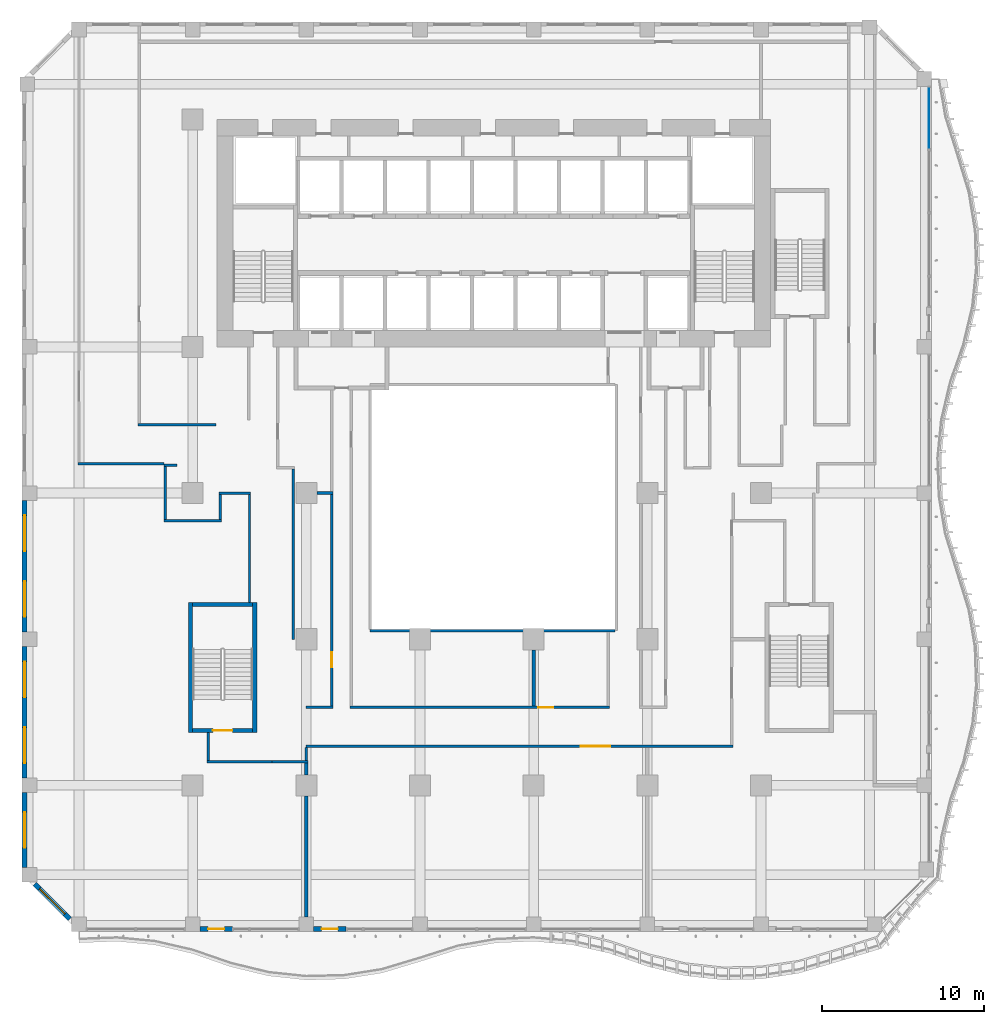
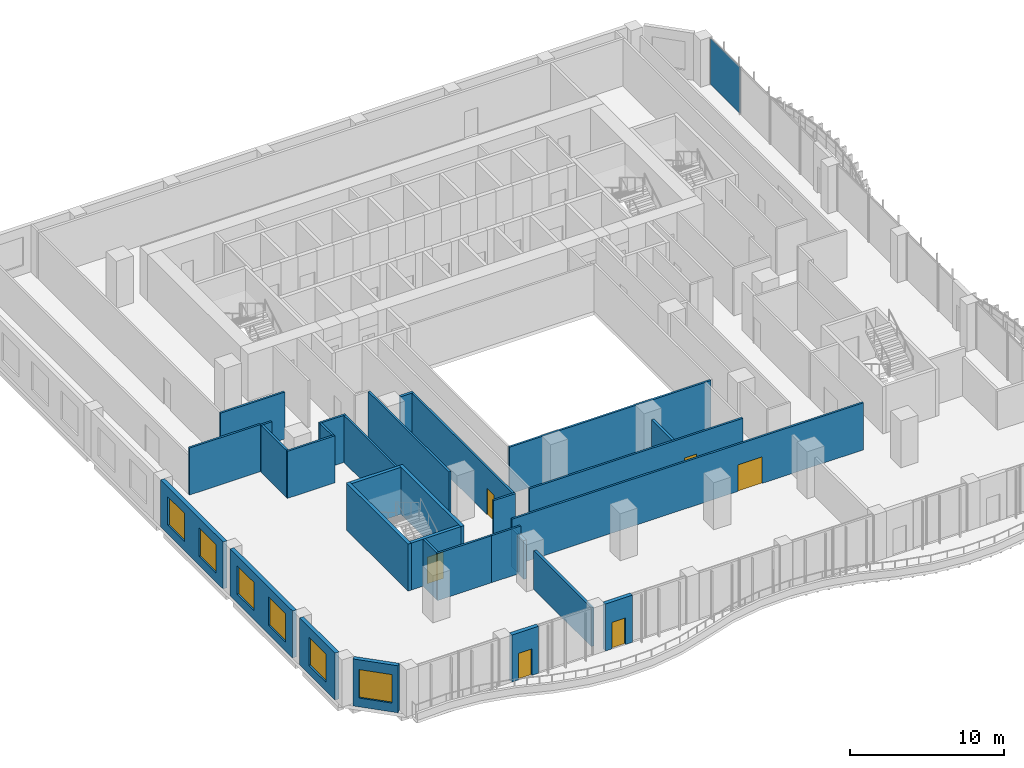
# One storey, part 10 of 25: 32 walls, 6 doors, 6 windows, 1 plate, 12 openings, 1 element without a shape of its own.
"""IFC4 building model written with IfcOpenShell, lengths in metres."""

from ifc_helpers import new_model, si_unit, direction, frame, frame_2d, origin, origin_2d, place, context, subcontext, project, spatial, rectangle, extrude, source, transform, mapped, material, layer, layer_set, type_object, element, fill, aggregate, save


model = new_model("IFC4")

# Units and contexts
model_context = context("Model", 3, precision=1e-05, world=origin(), true_north=direction((0.0, 1.0)))
body_context = subcontext(model_context, "Body", "Model", "MODEL_VIEW")
ifc_project = project(units=[si_unit("LENGTHUNIT", "METRE"), si_unit("AREAUNIT", "SQUARE_METRE"), si_unit("VOLUMEUNIT", "CUBIC_METRE"), si_unit("PLANEANGLEUNIT", "RADIAN"), si_unit("MASSUNIT", "GRAM", prefix="KILO")], contexts=[model_context])

# Site, building, storey
site_placement = place(None, origin())
site = spatial("IfcSite", under=ifc_project, at=site_placement, CompositionType="ELEMENT")
building_placement = place(site_placement, origin())
building = spatial("IfcBuilding", under=site, at=building_placement, Name="Kilnfold Tower and Market Hall", CompositionType="ELEMENT")
storey_placement = place(building_placement, frame((0.0, 0.0, 39.0)))
storey = spatial("IfcBuildingStorey", under=building, at=storey_placement, Name="L08", CompositionType="ELEMENT", Elevation=39.0)

# Curtain wall, plate
ifc_material_1 = material(Name="Aluminium and double glazing", Category="aluminium")
curtain_wall_type = type_object("IfcCurtainWallType", Name="CW OF1 VALLEY GLAZING", PredefinedType="NOTDEFINED", material=ifc_material_1)
curtain_wall_placement = place(storey_placement, origin())
curtain_wall = element("IfcCurtainWall", 1, at=curtain_wall_placement, inside=storey, type_object=curtain_wall_type, Name="Curtain wall CW1 L08 E", PredefinedType="NOTDEFINED")
ifc_material_2 = material(Name="Double glazed unit")
ifc_layer_1 = layer(ifc_material_2, 0.031982421875)
ifc_layer_set_1 = layer_set([ifc_layer_1], Name="Double glazed unit")
plate_type = type_object("IfcPlateType", Name="GLAZING PANEL 32", PredefinedType="CURTAIN_PANEL", material=ifc_layer_set_1)
shared_shape_1 = source(origin(), body_context, "Body", "SweptSolid", [
    extrude(rectangle(XDim=3.780029296875, YDim=0.031982421875, at=origin_2d()), origin(), (0.0, 0.0, 1.0), 3.659912109375),
])
plate_placement = place(storey_placement, frame((27.85009765625, 22.10009765625, 0.0), z_axis=(0.0, 0.0, 1.0), x_axis=(0.0, 1.0, 0.0)))
plate = element("IfcPlate", 2, at=plate_placement, type_object=plate_type, Name="CW1 panel 1.1", PredefinedType="CURTAIN_PANEL", context=body_context, shape_type="MappedRepresentation", body=[
    mapped(shared_shape_1, transform((0.0, 0.0, 0.0))),
])
aggregate(curtain_wall, [plate])

# Walls
ifc_material_3 = material(Name="Fire-resisting glazed screen")
ifc_layer_2 = layer(ifc_material_3, 0.14990234375)
ifc_layer_set_2 = layer_set([ifc_layer_2], Name="Fire-resisting glazed screen")
wall_type_1 = type_object("IfcWallType", Name="WALL ATRIUM 150", PredefinedType="PARTITIONING", material=ifc_layer_set_2)
wall_1_placement = place(storey_placement, frame((8.5, -9.47509765625, 0.0), z_axis=(0.0, 0.0, 1.0), x_axis=(-1.0, 0.0, 0.0)))
element("IfcWall", 3, at=wall_1_placement, inside=storey, type_object=wall_type_1, Name="Partition LY08.68", PredefinedType="PARTITIONING", context=body_context, shape_type="SweptSolid", body=[
    extrude(rectangle(XDim=15.074951171875, YDim=0.14990234375, at=frame_2d((7.53759765625, 0.0))), origin(), (0.0, 0.0, 1.0), 3.719970703125),
])
ifc_material_4 = material(Name="Gypsum board on steel studs", Category="steel")
ifc_layer_3 = layer(ifc_material_4, 0.14990234375)
ifc_layer_set_3 = layer_set([ifc_layer_3], Name="Gypsum board on steel studs")
wall_type_2 = type_object("IfcWallType", Name="WALL CORRIDOR 150", PredefinedType="PARTITIONING", material=ifc_layer_set_3)
wall_2_placement = place(storey_placement, frame((-20.875, 3.199951171875, 0.0), z_axis=(0.0, 0.0, 1.0), x_axis=(1.0, 0.0, 0.0)))
element("IfcWall", 4, at=wall_2_placement, inside=storey, type_object=wall_type_2, Name="Partition LY08.2", PredefinedType="PARTITIONING", context=body_context, shape_type="SweptSolid", body=[
    extrude(rectangle(XDim=4.81494140625, YDim=0.14990234375, at=frame_2d((2.407470703125, 0.0))), origin(), (0.0, 0.0, 1.0), 3.719970703125),
])

# Wall, opening, door
wall_3_placement = place(storey_placement, frame((-7.804931640625, -14.199951171875, 0.0), z_axis=(0.0, 0.0, 1.0), x_axis=(1.0, 0.0, 0.0)))
wall_3 = element("IfcWall", 5, at=wall_3_placement, inside=storey, type_object=wall_type_2, Name="Partition LY08.8", PredefinedType="PARTITIONING", context=body_context, shape_type="SweptSolid", body=[
    extrude(rectangle(XDim=15.969970703125, YDim=0.14990234375, at=frame_2d((7.98486328125, 0.0))), origin(), (0.0, 0.0, 1.0), 3.719970703125),
])
opening_1_placement = place(wall_3_placement, frame((11.596923828125, 0.0, 0.0)))
opening_1 = element("IfcOpeningElement", 6, at=opening_1_placement, cuts=wall_3, Name="Opening D2", PredefinedType="OPENING", context=body_context, shape_type="SweptSolid", body=[
    extrude(rectangle(XDim=0.89990234375, YDim=2.10009765625, at=frame_2d((0.449951171875, 1.050048828125))), frame((0.0, 0.0849609375, 0.0), z_axis=(0.0, -1.0, 0.0), x_axis=(1.0, 0.0, 0.0)), (0.0, 0.0, 1.0), 0.169921875),
])
ifc_material_5 = material(Name="Timber veneer door leaf in steel frame", Category="steel")
door_type_1 = type_object("IfcDoorType", Name="DOOR ROOM 900 X2100", OperationType="NOTDEFINED", PredefinedType="DOOR", material=ifc_material_5)
door_1_placement = place(opening_1_placement, origin())
door_1 = element("IfcDoor", 7, at=door_1_placement, inside=storey, type_object=door_type_1, Name="Door D2", OperationType="SINGLE_SWING_LEFT", OverallHeight=2.10009765625, OverallWidth=0.89990234375, PredefinedType="DOOR", context=body_context, shape_type="SweptSolid", body=[
    extrude(rectangle(XDim=0.89990234375, YDim=2.10009765625, at=frame_2d((0.449951171875, 1.050048828125))), frame((0.0, 0.02490234375, 0.0), z_axis=(0.0, -1.0, 0.0), x_axis=(1.0, 0.0, 0.0)), (0.0, 0.0, 1.0), 0.050048828125),
])
fill(opening_1, door_1)

# Walls
wall_4_placement = place(storey_placement, frame((-11.300048828125, -10.010009765625, 0.0), z_axis=(0.0, 0.0, 1.0), x_axis=(0.0, 1.0, 0.0)))
element("IfcWall", 8, at=wall_4_placement, inside=storey, type_object=wall_type_2, Name="Partition LY08.9", PredefinedType="PARTITIONING", context=body_context, shape_type="SweptSolid", body=[
    extrude(rectangle(XDim=10.485107421875, YDim=0.14990234375, at=frame_2d((5.24267578125, 0.0))), origin(), (0.0, 0.0, 1.0), 3.719970703125),
])
wall_5_placement = place(storey_placement, frame((-10.510009765625, -14.199951171875, 0.0), z_axis=(0.0, 0.0, 1.0), x_axis=(1.0, 0.0, 0.0)))
element("IfcWall", 9, at=wall_5_placement, inside=storey, type_object=wall_type_2, Name="Partition LY08.10", PredefinedType="PARTITIONING", context=body_context, shape_type="SweptSolid", body=[
    extrude(rectangle(XDim=1.655029296875, YDim=0.14990234375, at=frame_2d((0.82763671875, 0.0))), origin(), (0.0, 0.0, 1.0), 3.719970703125),
])

# Wall, opening, door
wall_6_placement = place(storey_placement, frame((-8.929931640625, -14.125, 0.0), z_axis=(0.0, 0.0, 1.0), x_axis=(0.0, 1.0, 0.0)))
wall_6 = element("IfcWall", 10, at=wall_6_placement, inside=storey, type_object=wall_type_2, Name="Partition LY08.11", PredefinedType="PARTITIONING", context=body_context, shape_type="SweptSolid", body=[
    extrude(rectangle(XDim=13.034912109375, YDim=0.14990234375, at=frame_2d((6.517578125, 0.0))), origin(), (0.0, 0.0, 1.0), 3.719970703125),
])
opening_2_placement = place(wall_6_placement, frame((2.406982421875, 0.0, 0.0)))
opening_2 = element("IfcOpeningElement", 11, at=opening_2_placement, cuts=wall_6, Name="Opening D2", PredefinedType="OPENING", context=body_context, shape_type="SweptSolid", body=[
    extrude(rectangle(XDim=0.89990234375, YDim=2.10009765625, at=frame_2d((0.449951171875, 1.050048828125))), frame((0.0, 0.0849609375, 0.0), z_axis=(0.0, -1.0, 0.0), x_axis=(1.0, 0.0, 0.0)), (0.0, 0.0, 1.0), 0.169921875),
])
door_2_placement = place(opening_2_placement, origin())
door_2 = element("IfcDoor", 12, at=door_2_placement, inside=storey, type_object=door_type_1, Name="Door D2", OperationType="SINGLE_SWING_RIGHT", OverallHeight=2.10009765625, OverallWidth=0.89990234375, PredefinedType="DOOR", context=body_context, shape_type="SweptSolid", body=[
    extrude(rectangle(XDim=0.89990234375, YDim=2.10009765625, at=frame_2d((0.449951171875, 1.050048828125))), frame((0.0, 0.02490234375, 0.0), z_axis=(0.0, -1.0, 0.0), x_axis=(1.0, 0.0, 0.0)), (0.0, 0.0, 1.0), 0.050048828125),
])
fill(opening_2, door_2)

# Walls
wall_7_placement = place(storey_placement, frame((-16.625, -17.550048828125, 0.0), z_axis=(0.0, 0.0, 1.0), x_axis=(1.0, 0.0, 0.0)))
element("IfcWall", 13, at=wall_7_placement, inside=storey, type_object=wall_type_2, Name="Partition LY08.30", PredefinedType="PARTITIONING", context=body_context, shape_type="SweptSolid", body=[
    extrude(rectangle(XDim=4.02294921875, YDim=0.14990234375, at=frame_2d((2.011474609375, 0.0))), origin(), (0.0, 0.0, 1.0), 3.719970703125),
])
wall_8_placement = place(storey_placement, frame((-16.550048828125, -15.75, 0.0), z_axis=(0.0, 0.0, 1.0), x_axis=(0.0, -1.0, 0.0)))
element("IfcWall", 14, at=wall_8_placement, inside=storey, type_object=wall_type_2, Name="Partition LY08.31", PredefinedType="PARTITIONING", context=body_context, shape_type="SweptSolid", body=[
    extrude(rectangle(XDim=1.72509765625, YDim=0.14990234375, at=frame_2d((0.862548828125, 0.0))), origin(), (0.0, 0.0, 1.0), 3.719970703125),
])
wall_9_placement = place(storey_placement, frame((-14.0, -1.074951171875, 0.0), z_axis=(0.0, 0.0, 1.0), x_axis=(0.0, -1.0, 0.0)))
element("IfcWall", 15, at=wall_9_placement, inside=storey, type_object=wall_type_2, Name="Partition LY08.32", PredefinedType="PARTITIONING", context=body_context, shape_type="SweptSolid", body=[
    extrude(rectangle(XDim=6.675048828125, YDim=0.14990234375, at=frame_2d((3.33740234375, 0.0))), origin(), (0.0, 0.0, 1.0), 3.719970703125),
])
wall_10_placement = place(storey_placement, frame((-15.875, -1.0, 0.0), z_axis=(0.0, 0.0, 1.0), x_axis=(1.0, 0.0, 0.0)))
element("IfcWall", 16, at=wall_10_placement, inside=storey, type_object=wall_type_2, Name="Partition LY08.33", PredefinedType="PARTITIONING", context=body_context, shape_type="SweptSolid", body=[
    extrude(rectangle(XDim=1.949951171875, YDim=0.14990234375, at=frame_2d((0.97509765625, 0.0))), origin(), (0.0, 0.0, 1.0), 3.719970703125),
])
wall_11_placement = place(storey_placement, frame((-15.800048828125, -2.625, 0.0), z_axis=(0.0, 0.0, 1.0), x_axis=(0.0, 1.0, 0.0)))
element("IfcWall", 17, at=wall_11_placement, inside=storey, type_object=wall_type_2, Name="Partition LY08.34", PredefinedType="PARTITIONING", context=body_context, shape_type="SweptSolid", body=[
    extrude(rectangle(XDim=1.550048828125, YDim=0.14990234375, at=frame_2d((0.77490234375, 0.0))), origin(), (0.0, 0.0, 1.0), 3.719970703125),
])
wall_12_placement = place(storey_placement, frame((-19.27490234375, -2.699951171875, 0.0), z_axis=(0.0, 0.0, 1.0), x_axis=(1.0, 0.0, 0.0)))
element("IfcWall", 18, at=wall_12_placement, inside=storey, type_object=wall_type_2, Name="Partition LY08.35", PredefinedType="PARTITIONING", context=body_context, shape_type="SweptSolid", body=[
    extrude(rectangle(XDim=3.5498046875, YDim=0.14990234375, at=frame_2d((1.77490234375, 0.0))), origin(), (0.0, 0.0, 1.0), 3.719970703125),
])
wall_13_placement = place(storey_placement, frame((-19.199951171875, 0.625, 0.0), z_axis=(0.0, 0.0, 1.0), x_axis=(0.0, -1.0, 0.0)))
element("IfcWall", 19, at=wall_13_placement, inside=storey, type_object=wall_type_2, Name="Partition LY08.36", PredefinedType="PARTITIONING", context=body_context, shape_type="SweptSolid", body=[
    extrude(rectangle(XDim=3.25, YDim=0.14990234375, at=frame_2d((1.625, 0.0))), origin(), (0.0, 0.0, 1.0), 3.719970703125),
])
wall_14_placement = place(storey_placement, frame((-19.27490234375, 0.699951171875, 0.0), z_axis=(0.0, 0.0, 1.0), x_axis=(1.0, 0.0, 0.0)))
element("IfcWall", 20, at=wall_14_placement, inside=storey, type_object=wall_type_2, Name="Partition LY08.37", PredefinedType="PARTITIONING", context=body_context, shape_type="SweptSolid", body=[
    extrude(rectangle(XDim=0.81494140625, YDim=0.14990234375, at=frame_2d((0.407470703125, 0.0))), origin(), (0.0, 0.0, 1.0), 3.719970703125),
])
wall_15_placement = place(storey_placement, frame((-24.574951171875, 0.800048828125, 0.0), z_axis=(0.0, 0.0, 1.0), x_axis=(1.0, 0.0, 0.0)))
element("IfcWall", 21, at=wall_15_placement, inside=storey, type_object=wall_type_2, Name="Partition LY08.38", PredefinedType="PARTITIONING", context=body_context, shape_type="SweptSolid", body=[
    extrude(rectangle(XDim=5.300048828125, YDim=0.14990234375, at=frame_2d((2.64990234375, 0.0))), origin(), (0.0, 0.0, 1.0), 3.719970703125),
])
wall_16_placement = place(storey_placement, frame((-12.60205078125, -17.552001953125, 0.0), z_axis=(0.0, 0.0, 1.0), x_axis=(1.0, 0.0, 0.0)))
element("IfcWall", 22, at=wall_16_placement, inside=storey, type_object=wall_type_2, Name="Partition LY08.40", PredefinedType="PARTITIONING", context=body_context, shape_type="SweptSolid", body=[
    extrude(rectangle(XDim=2.2041015625, YDim=0.14990234375, at=frame_2d((1.10205078125, 0.0))), origin(), (0.0, 0.0, 1.0), 3.719970703125),
])

# Wall, opening, door
wall_17_placement = place(storey_placement, frame((-10.510009765625, -16.60009765625, 0.0), z_axis=(0.0, 0.0, 1.0), x_axis=(1.0, 0.0, 0.0)))
wall_17 = element("IfcWall", 23, at=wall_17_placement, inside=storey, type_object=wall_type_2, Name="Partition LY08.41", PredefinedType="PARTITIONING", context=body_context, shape_type="SweptSolid", body=[
    extrude(rectangle(XDim=26.284912109375, YDim=0.14990234375, at=frame_2d((13.142578125, 0.0))), origin(), (0.0, 0.0, 1.0), 3.719970703125),
])
opening_3_placement = place(wall_17_placement, frame((16.91796875, 0.0, 0.0)))
opening_3 = element("IfcOpeningElement", 24, at=opening_3_placement, cuts=wall_17, Name="Opening D5", PredefinedType="OPENING", context=body_context, shape_type="SweptSolid", body=[
    extrude(rectangle(XDim=1.800048828125, YDim=2.10009765625, at=frame_2d((0.89990234375, 1.050048828125))), frame((0.0, 0.0849609375, 0.0), z_axis=(0.0, -1.0, 0.0), x_axis=(1.0, 0.0, 0.0)), (0.0, 0.0, 1.0), 0.169921875),
])
ifc_material_6 = material(Name="Timber veneer door leaf in steel frame", Category="steel")
door_type_2 = type_object("IfcDoorType", Name="DOOR DOUBLE 1800 X2100", OperationType="NOTDEFINED", PredefinedType="DOOR", material=ifc_material_6)
door_3_placement = place(opening_3_placement, origin())
door_3 = element("IfcDoor", 25, at=door_3_placement, inside=storey, type_object=door_type_2, Name="Door D5", OperationType="DOUBLE_DOOR_SINGLE_SWING", OverallHeight=2.10009765625, OverallWidth=1.800048828125, PredefinedType="DOOR", context=body_context, shape_type="SweptSolid", body=[
    extrude(rectangle(XDim=1.800048828125, YDim=2.10009765625, at=frame_2d((0.89990234375, 1.050048828125))), frame((0.0, 0.02490234375, 0.0), z_axis=(0.0, -1.0, 0.0), x_axis=(1.0, 0.0, 0.0)), (0.0, 0.0, 1.0), 0.050048828125),
])
fill(opening_3, door_3)

# Walls
wall_18_placement = place(storey_placement, frame((-10.498046875, -17.47705078125, 0.0), z_axis=(0.0, 0.0, 1.0), x_axis=(0.0, 1.0, 0.0)))
element("IfcWall", 26, at=wall_18_placement, inside=storey, type_object=wall_type_2, Name="Partition LY08.42", PredefinedType="PARTITIONING", context=body_context, shape_type="SweptSolid", body=[
    extrude(rectangle(XDim=0.802001953125, YDim=0.14990234375, at=frame_2d((0.40087890625, 0.0))), origin(), (0.0, 0.0, 1.0), 3.070068359375),
])
ifc_material_7 = material(Name="Gypsum board on steel studs", Category="steel")
ifc_layer_4 = layer(ifc_material_7, 0.199951171875)
ifc_layer_set_4 = layer_set([ifc_layer_4], Name="Gypsum board on steel studs")
wall_type_3 = type_object("IfcWallType", Name="WALL PARTY 200", PredefinedType="PARTITIONING", material=ifc_layer_set_4)
wall_19_placement = place(storey_placement, frame((-9.85009765625, -1.0, 0.0), z_axis=(0.0, 0.0, 1.0), x_axis=(1.0, 0.0, 0.0)))
element("IfcWall", 27, at=wall_19_placement, inside=storey, type_object=wall_type_3, Name="Partition LY08.57", PredefinedType="PARTITIONING", context=body_context, shape_type="SweptSolid", body=[
    extrude(rectangle(XDim=0.994140625, YDim=0.199951171875, at=frame_2d((0.4970703125, 0.0))), origin(), (0.0, 0.0, 1.0), 3.719970703125),
])
wall_20_placement = place(storey_placement, frame((3.5, -14.1240234375, 0.0), z_axis=(0.0, 0.0, 1.0), x_axis=(0.0, 1.0, 0.0)))
element("IfcWall", 28, at=wall_20_placement, inside=storey, type_object=wall_type_3, Name="Partition LY08.58", PredefinedType="PARTITIONING", context=body_context, shape_type="SweptSolid", body=[
    extrude(rectangle(XDim=3.47412109375, YDim=0.199951171875, at=frame_2d((1.737060546875, 0.0))), origin(), (0.0, 0.0, 1.0), 3.070068359375),
])
wall_21_placement = place(storey_placement, frame((-10.5, -18.35009765625, 0.0), z_axis=(0.0, 0.0, 1.0), x_axis=(0.0, 1.0, 0.0)))
element("IfcWall", 29, at=wall_21_placement, inside=storey, type_object=wall_type_3, Name="Partition LY08.60", PredefinedType="PARTITIONING", context=body_context, shape_type="SweptSolid", body=[
    extrude(rectangle(XDim=0.72314453125, YDim=0.199951171875, at=frame_2d((0.361572265625, 0.0))), origin(), (0.0, 0.0, 1.0), 3.070068359375),
])
wall_22_placement = place(storey_placement, frame((-10.5, -27.10009765625, 0.0), z_axis=(0.0, 0.0, 1.0), x_axis=(0.0, 1.0, 0.0)))
element("IfcWall", 30, at=wall_22_placement, inside=storey, type_object=wall_type_3, Name="Partition LY08.61", PredefinedType="PARTITIONING", context=body_context, shape_type="SweptSolid", body=[
    extrude(rectangle(XDim=7.4501953125, YDim=0.199951171875, at=frame_2d((3.72509765625, 0.0))), origin(), (0.0, 0.0, 1.0), 3.070068359375),
])

# Wall, opening, door
ifc_material_8 = material(Name="Concrete C80", Category="concrete")
ifc_layer_5 = layer(ifc_material_8, 0.25)
ifc_layer_set_5 = layer_set([ifc_layer_5], Name="Concrete C80")
wall_type_4 = type_object("IfcWallType", Name="CORE WALL 250 C80", PredefinedType="SHEAR", material=ifc_layer_set_5)
shared_shape_2 = source(origin(), body_context, "Body", "SweptSolid", [
    extrude(rectangle(XDim=3.699951171875, YDim=0.25, at=frame_2d((1.85009765625, 0.0))), origin(), (0.0, 0.0, 1.0), 3.719970703125),
])
wall_23_placement = place(storey_placement, frame((-17.5, -15.625, 0.0), z_axis=(0.0, 0.0, 1.0), x_axis=(1.0, 0.0, 0.0)))
wall_23 = element("IfcWall", 31, at=wall_23_placement, inside=storey, type_object=wall_type_4, Name="Stair enclosure ST3", PredefinedType="SHEAR", context=body_context, shape_type="MappedRepresentation", body=[
    mapped(shared_shape_2, transform((0.0, 0.0, 0.0))),
])
opening_4_placement = place(wall_23_placement, frame((1.25, 0.0, 0.0)))
opening_4 = element("IfcOpeningElement", 32, at=opening_4_placement, cuts=wall_23, Name="Opening SD1", PredefinedType="OPENING", context=body_context, shape_type="SweptSolid", body=[
    extrude(rectangle(XDim=1.199951171875, YDim=2.10009765625, at=frame_2d((0.60009765625, 1.050048828125))), frame((0.0, 0.135009765625, 0.0), z_axis=(0.0, -1.0, 0.0), x_axis=(1.0, 0.0, 0.0)), (0.0, 0.0, 1.0), 0.27001953125),
])
ifc_material_9 = material(Name="Steel door set with fire-resisting leaf", Category="steel")
door_type_3 = type_object("IfcDoorType", Name="STAIR FLOOR DOOR 1200X2100", OperationType="NOTDEFINED", PredefinedType="DOOR", material=ifc_material_9)
door_4_placement = place(opening_4_placement, origin())
door_4 = element("IfcDoor", 33, at=door_4_placement, inside=storey, type_object=door_type_3, Name="Exit stair ST3 door", OperationType="DOUBLE_DOOR_SINGLE_SWING", OverallHeight=2.10009765625, OverallWidth=1.199951171875, PredefinedType="DOOR", context=body_context, shape_type="SweptSolid", body=[
    extrude(rectangle(XDim=1.199951171875, YDim=2.10009765625, at=frame_2d((0.60009765625, 1.050048828125))), frame((0.0, 0.02490234375, 0.0), z_axis=(0.0, -1.0, 0.0), x_axis=(1.0, 0.0, 0.0)), (0.0, 0.0, 1.0), 0.050048828125),
])
fill(opening_4, door_4)

# Walls
wall_24_placement = place(storey_placement, frame((-17.5, -7.875, 0.0), z_axis=(0.0, 0.0, 1.0), x_axis=(1.0, 0.0, 0.0)))
element("IfcWall", 34, at=wall_24_placement, inside=storey, type_object=wall_type_4, Name="Stair enclosure ST3", PredefinedType="SHEAR", context=body_context, shape_type="MappedRepresentation", body=[
    mapped(shared_shape_2, transform((0.0, 0.0, 0.0))),
])
shared_shape_3 = source(origin(), body_context, "Body", "SweptSolid", [
    extrude(rectangle(XDim=8.0, YDim=0.25, at=frame_2d((4.0, 0.0))), origin(), (0.0, 0.0, 1.0), 3.719970703125),
])
for number, where, z_axis, x_axis, name in (
    (35, (-17.625, -15.75, 0.0), (0.0, 0.0, 1.0), (0.0, 1.0, 0.0), "Stair enclosure ST3"),
    (36, (-13.675048828125, -15.75, 0.0), (0.0, 0.0, 1.0), (0.0, 1.0, 0.0), "Stair enclosure ST3"),
):
    element("IfcWall", number, at=place(storey_placement, frame(where, z_axis=z_axis, x_axis=x_axis)), inside=storey, type_object=wall_type_4, Name=name, PredefinedType="SHEAR", context=body_context, shape_type="MappedRepresentation", body=[
        mapped(shared_shape_3, transform((0.0, 0.0, 0.0))),
    ])

# Wall, opening, door
ifc_material_10 = material(Name="Precast concrete C50/60", Category="concrete")
ifc_layer_6 = layer(ifc_material_10, 0.300048828125)
ifc_layer_set_6 = layer_set([ifc_layer_6], Name="Precast concrete C50/60")
wall_type_5 = type_object("IfcWallType", Name="PRECAST WALL 300", PredefinedType="SOLIDWALL", material=ifc_layer_set_6)
shared_shape_4 = source(origin(), body_context, "Body", "SweptSolid", [
    extrude(rectangle(XDim=2.0, YDim=0.300048828125, at=frame_2d((1.0, 0.0))), origin(), (0.0, 0.0, 1.0), 3.719970703125),
])
wall_25_placement = place(storey_placement, frame((-17.050048828125, -27.85009765625, 0.0), z_axis=(0.0, 0.0, 1.0), x_axis=(1.0, 0.0, 0.0)))
wall_25 = element("IfcWall", 37, at=wall_25_placement, inside=storey, type_object=wall_type_5, Name="External wall L08 S", PredefinedType="SOLIDWALL", context=body_context, shape_type="MappedRepresentation", body=[
    mapped(shared_shape_4, transform((0.0, 0.0, 0.0))),
])
opening_5_placement = place(wall_25_placement, frame((0.5, 0.0, 0.0)))
opening_5 = element("IfcOpeningElement", 38, at=opening_5_placement, cuts=wall_25, Name="Opening BD1", PredefinedType="OPENING", context=body_context, shape_type="SweptSolid", body=[
    extrude(rectangle(XDim=1.0, YDim=2.10009765625, at=frame_2d((0.5, 1.050048828125))), frame((0.0, 0.16015625, 0.0), z_axis=(0.0, -1.0, 0.0), x_axis=(1.0, 0.0, 0.0)), (0.0, 0.0, 1.0), 0.320068359375),
])
ifc_material_11 = material(Name="Aluminium frame and double glazing", Category="aluminium")
door_type_4 = type_object("IfcDoorType", Name="BALCONY DOOR 1000X2100", OperationType="NOTDEFINED", PredefinedType="DOOR", material=ifc_material_11)
door_5_placement = place(opening_5_placement, origin())
door_5 = element("IfcDoor", 39, at=door_5_placement, inside=storey, type_object=door_type_4, Name="Balcony door BD1 L08 S-1", OperationType="SINGLE_SWING_LEFT", OverallHeight=2.10009765625, OverallWidth=1.0, PredefinedType="DOOR", context=body_context, shape_type="SweptSolid", body=[
    extrude(rectangle(XDim=1.0, YDim=2.10009765625, at=frame_2d((0.5, 1.050048828125))), frame((0.0, 0.02490234375, 0.0), z_axis=(0.0, -1.0, 0.0), x_axis=(1.0, 0.0, 0.0)), (0.0, 0.0, 1.0), 0.050048828125),
])
fill(opening_5, door_5)

wall_26_placement = place(storey_placement, frame((-10.050048828125, -27.85009765625, 0.0), z_axis=(0.0, 0.0, 1.0), x_axis=(1.0, 0.0, 0.0)))
wall_26 = element("IfcWall", 40, at=wall_26_placement, inside=storey, type_object=wall_type_5, Name="External wall L08 S", PredefinedType="SOLIDWALL", context=body_context, shape_type="MappedRepresentation", body=[
    mapped(shared_shape_4, transform((0.0, 0.0, 0.0))),
])
opening_6_placement = place(wall_26_placement, frame((0.5, 0.0, 0.0)))
opening_6 = element("IfcOpeningElement", 41, at=opening_6_placement, cuts=wall_26, Name="Opening BD1", PredefinedType="OPENING", context=body_context, shape_type="SweptSolid", body=[
    extrude(rectangle(XDim=1.0, YDim=2.10009765625, at=frame_2d((0.5, 1.050048828125))), frame((0.0, 0.16015625, 0.0), z_axis=(0.0, -1.0, 0.0), x_axis=(1.0, 0.0, 0.0)), (0.0, 0.0, 1.0), 0.320068359375),
])
door_6_placement = place(opening_6_placement, origin())
door_6 = element("IfcDoor", 42, at=door_6_placement, inside=storey, type_object=door_type_4, Name="Balcony door BD1 L08 S-1", OperationType="SINGLE_SWING_LEFT", OverallHeight=2.10009765625, OverallWidth=1.0, PredefinedType="DOOR", context=body_context, shape_type="SweptSolid", body=[
    extrude(rectangle(XDim=1.0, YDim=2.10009765625, at=frame_2d((0.5, 1.050048828125))), frame((0.0, 0.02490234375, 0.0), z_axis=(0.0, -1.0, 0.0), x_axis=(1.0, 0.0, 0.0)), (0.0, 0.0, 1.0), 0.050048828125),
])
fill(opening_6, door_6)

# Wall, openings, windows
shared_shape_5 = source(origin(), body_context, "Body", "SweptSolid", [
    extrude(rectangle(XDim=8.10009765625, YDim=0.300048828125, at=frame_2d((4.050048828125, 0.0))), origin(), (0.0, 0.0, 1.0), 3.719970703125),
])
wall_27_placement = place(storey_placement, frame((-27.85009765625, -1.449951171875, 0.0), z_axis=(0.0, 0.0, 1.0), x_axis=(0.0, -1.0, 0.0)))
wall_27 = element("IfcWall", 43, at=wall_27_placement, inside=storey, type_object=wall_type_5, Name="External wall L08 W", PredefinedType="SOLIDWALL", context=body_context, shape_type="MappedRepresentation", body=[
    mapped(shared_shape_5, transform((0.0, 0.0, 0.0))),
])
opening_7_placement = place(wall_27_placement, frame((0.925048828125, 0.0, 0.699951171875)))
opening_7 = element("IfcOpeningElement", 44, at=opening_7_placement, cuts=wall_27, Name="Opening W1", PredefinedType="OPENING", context=body_context, shape_type="SweptSolid", body=[
    extrude(rectangle(XDim=2.199951171875, YDim=2.25, at=frame_2d((1.10009765625, 1.125))), frame((0.0, 0.16015625, 0.0), z_axis=(0.0, -1.0, 0.0), x_axis=(1.0, 0.0, 0.0)), (0.0, 0.0, 1.0), 0.320068359375),
])
opening_8_placement = place(wall_27_placement, frame((4.97509765625, 0.0, 0.699951171875)))
opening_8 = element("IfcOpeningElement", 45, at=opening_8_placement, cuts=wall_27, Name="Opening W1", PredefinedType="OPENING", context=body_context, shape_type="SweptSolid", body=[
    extrude(rectangle(XDim=2.199951171875, YDim=2.25, at=frame_2d((1.10009765625, 1.125))), frame((0.0, 0.16015625, 0.0), z_axis=(0.0, -1.0, 0.0), x_axis=(1.0, 0.0, 0.0)), (0.0, 0.0, 1.0), 0.320068359375),
])
ifc_material_12 = material(Name="Aluminium frame and double glazing", Category="aluminium")
window_type = type_object("IfcWindowType", Name="WINDOW W1 2200X2250", PartitioningType="SINGLE_PANEL", PredefinedType="WINDOW", material=ifc_material_12)
window_1_placement = place(opening_7_placement, origin())
window_1 = element("IfcWindow", 46, at=window_1_placement, inside=storey, type_object=window_type, Name="Window W1 L08 W-1", OverallHeight=2.25, OverallWidth=2.199951171875, PartitioningType="SINGLE_PANEL", PredefinedType="WINDOW", context=body_context, shape_type="SweptSolid", body=[
    extrude(rectangle(XDim=2.199951171875, YDim=2.25, at=frame_2d((1.10009765625, 1.125))), frame((0.0, 0.030029296875, 0.0), z_axis=(0.0, -1.0, 0.0), x_axis=(1.0, 0.0, 0.0)), (0.0, 0.0, 1.0), 0.06005859375),
])
fill(opening_7, window_1)
window_2_placement = place(opening_8_placement, origin())
window_2 = element("IfcWindow", 47, at=window_2_placement, inside=storey, type_object=window_type, Name="Window W1 L08 W-2", OverallHeight=2.25, OverallWidth=2.199951171875, PartitioningType="SINGLE_PANEL", PredefinedType="WINDOW", context=body_context, shape_type="SweptSolid", body=[
    extrude(rectangle(XDim=2.199951171875, YDim=2.25, at=frame_2d((1.10009765625, 1.125))), frame((0.0, 0.030029296875, 0.0), z_axis=(0.0, -1.0, 0.0), x_axis=(1.0, 0.0, 0.0)), (0.0, 0.0, 1.0), 0.06005859375),
])
fill(opening_8, window_2)

wall_28_placement = place(storey_placement, frame((-27.85009765625, -10.449951171875, 0.0), z_axis=(0.0, 0.0, 1.0), x_axis=(0.0, -1.0, 0.0)))
wall_28 = element("IfcWall", 48, at=wall_28_placement, inside=storey, type_object=wall_type_5, Name="External wall L08 W", PredefinedType="SOLIDWALL", context=body_context, shape_type="MappedRepresentation", body=[
    mapped(shared_shape_5, transform((0.0, 0.0, 0.0))),
])
opening_9_placement = place(wall_28_placement, frame((0.925048828125, 0.0, 0.699951171875)))
opening_9 = element("IfcOpeningElement", 49, at=opening_9_placement, cuts=wall_28, Name="Opening W1", PredefinedType="OPENING", context=body_context, shape_type="SweptSolid", body=[
    extrude(rectangle(XDim=2.199951171875, YDim=2.25, at=frame_2d((1.10009765625, 1.125))), frame((0.0, 0.16015625, 0.0), z_axis=(0.0, -1.0, 0.0), x_axis=(1.0, 0.0, 0.0)), (0.0, 0.0, 1.0), 0.320068359375),
])
opening_10_placement = place(wall_28_placement, frame((4.97509765625, 0.0, 0.699951171875)))
opening_10 = element("IfcOpeningElement", 50, at=opening_10_placement, cuts=wall_28, Name="Opening W1", PredefinedType="OPENING", context=body_context, shape_type="SweptSolid", body=[
    extrude(rectangle(XDim=2.199951171875, YDim=2.25, at=frame_2d((1.10009765625, 1.125))), frame((0.0, 0.16015625, 0.0), z_axis=(0.0, -1.0, 0.0), x_axis=(1.0, 0.0, 0.0)), (0.0, 0.0, 1.0), 0.320068359375),
])
window_3_placement = place(opening_9_placement, origin())
window_3 = element("IfcWindow", 51, at=window_3_placement, inside=storey, type_object=window_type, Name="Window W1 L08 W-1", OverallHeight=2.25, OverallWidth=2.199951171875, PartitioningType="SINGLE_PANEL", PredefinedType="WINDOW", context=body_context, shape_type="SweptSolid", body=[
    extrude(rectangle(XDim=2.199951171875, YDim=2.25, at=frame_2d((1.10009765625, 1.125))), frame((0.0, 0.030029296875, 0.0), z_axis=(0.0, -1.0, 0.0), x_axis=(1.0, 0.0, 0.0)), (0.0, 0.0, 1.0), 0.06005859375),
])
fill(opening_9, window_3)
window_4_placement = place(opening_10_placement, origin())
window_4 = element("IfcWindow", 52, at=window_4_placement, inside=storey, type_object=window_type, Name="Window W1 L08 W-2", OverallHeight=2.25, OverallWidth=2.199951171875, PartitioningType="SINGLE_PANEL", PredefinedType="WINDOW", context=body_context, shape_type="SweptSolid", body=[
    extrude(rectangle(XDim=2.199951171875, YDim=2.25, at=frame_2d((1.10009765625, 1.125))), frame((0.0, 0.030029296875, 0.0), z_axis=(0.0, -1.0, 0.0), x_axis=(1.0, 0.0, 0.0)), (0.0, 0.0, 1.0), 0.06005859375),
])
fill(opening_10, window_4)

# Wall, opening, window
shared_shape_6 = source(origin(), body_context, "Body", "SweptSolid", [
    extrude(rectangle(XDim=4.60009765625, YDim=0.300048828125, at=frame_2d((2.300048828125, 0.0))), origin(), (0.0, 0.0, 1.0), 3.719970703125),
])
wall_29_placement = place(storey_placement, frame((-27.85009765625, -19.449951171875, 0.0), z_axis=(0.0, 0.0, 1.0), x_axis=(0.0, -1.0, 0.0)))
wall_29 = element("IfcWall", 53, at=wall_29_placement, inside=storey, type_object=wall_type_5, Name="External wall L08 W", PredefinedType="SOLIDWALL", context=body_context, shape_type="MappedRepresentation", body=[
    mapped(shared_shape_6, transform((0.0, 0.0, 0.0))),
])
opening_11_placement = place(wall_29_placement, frame((1.199951171875, 0.0, 0.699951171875)))
opening_11 = element("IfcOpeningElement", 54, at=opening_11_placement, cuts=wall_29, Name="Opening W1", PredefinedType="OPENING", context=body_context, shape_type="SweptSolid", body=[
    extrude(rectangle(XDim=2.199951171875, YDim=2.25, at=frame_2d((1.10009765625, 1.125))), frame((0.0, 0.16015625, 0.0), z_axis=(0.0, -1.0, 0.0), x_axis=(1.0, 0.0, 0.0)), (0.0, 0.0, 1.0), 0.320068359375),
])
window_5_placement = place(opening_11_placement, origin())
window_5 = element("IfcWindow", 55, at=window_5_placement, inside=storey, type_object=window_type, Name="Window W1 L08 W-1", OverallHeight=2.25, OverallWidth=2.199951171875, PartitioningType="SINGLE_PANEL", PredefinedType="WINDOW", context=body_context, shape_type="SweptSolid", body=[
    extrude(rectangle(XDim=2.199951171875, YDim=2.25, at=frame_2d((1.10009765625, 1.125))), frame((0.0, 0.030029296875, 0.0), z_axis=(0.0, -1.0, 0.0), x_axis=(1.0, 0.0, 0.0)), (0.0, 0.0, 1.0), 0.06005859375),
])
fill(opening_11, window_5)

shared_shape_7 = source(origin(), body_context, "Body", "SweptSolid", [
    extrude(rectangle(XDim=3.040771484375, YDim=0.300048828125, at=frame_2d((1.5205078125, 0.0))), origin(), (0.0, 0.0, 1.0), 3.719970703125),
])
wall_30_placement = place(storey_placement, frame((-27.218994140625, -25.06884765625, 0.0), z_axis=(0.0, 0.0, 1.0), x_axis=(0.707106781187, -0.707106781187, 0.0)))
wall_30 = element("IfcWall", 56, at=wall_30_placement, inside=storey, type_object=wall_type_5, Name="External wall L08 SW", PredefinedType="SOLIDWALL", context=body_context, shape_type="MappedRepresentation", body=[
    mapped(shared_shape_7, transform((0.0, 0.0, 0.0))),
])
opening_12_placement = place(wall_30_placement, frame((0.42041015625, 0.0, 0.699951171875)))
opening_12 = element("IfcOpeningElement", 57, at=opening_12_placement, cuts=wall_30, Name="Opening W1", PredefinedType="OPENING", context=body_context, shape_type="SweptSolid", body=[
    extrude(rectangle(XDim=2.199951171875, YDim=2.25, at=frame_2d((1.10009765625, 1.125))), frame((0.0, 0.16015625, 0.0), z_axis=(0.0, -1.0, 0.0), x_axis=(1.0, 0.0, 0.0)), (0.0, 0.0, 1.0), 0.320068359375),
])
window_6_placement = place(opening_12_placement, origin())
window_6 = element("IfcWindow", 58, at=window_6_placement, inside=storey, type_object=window_type, Name="Window W1 L08 SW-1", OverallHeight=2.25, OverallWidth=2.199951171875, PartitioningType="SINGLE_PANEL", PredefinedType="WINDOW", context=body_context, shape_type="SweptSolid", body=[
    extrude(rectangle(XDim=2.199951171875, YDim=2.25, at=frame_2d((1.10009765625, 1.125))), frame((0.0, 0.030029296875, 0.0), z_axis=(0.0, -1.0, 0.0), x_axis=(1.0, 0.0, 0.0)), (0.0, 0.0, 1.0), 0.06005859375),
])
fill(opening_12, window_6)

save(model, "model.ifc")
